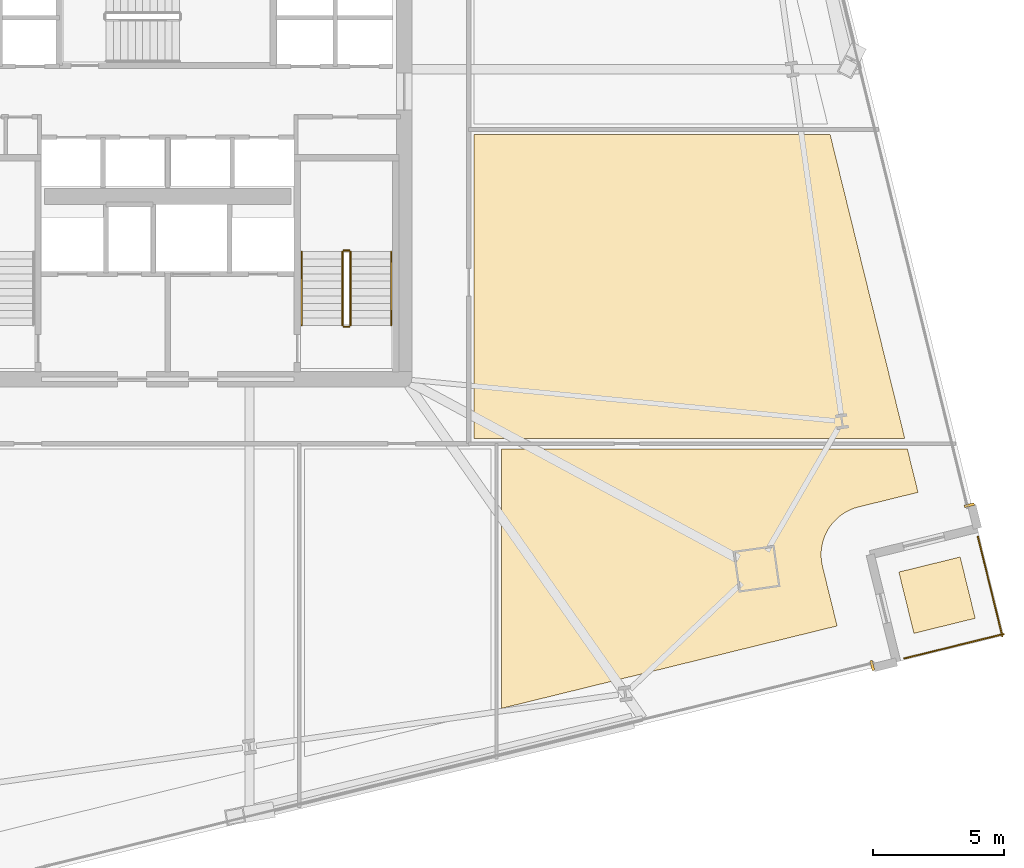
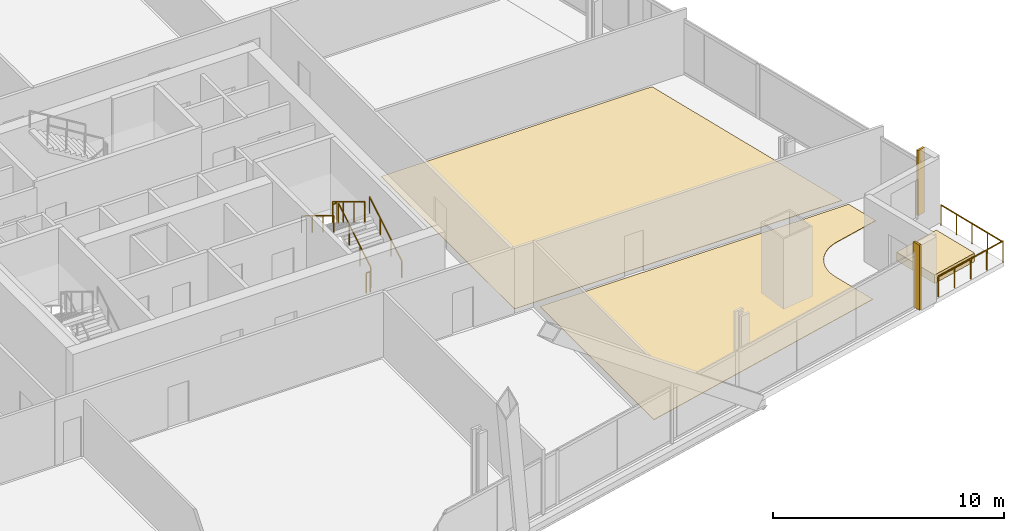
# One storey, part 30 of 32: 8 railings, 5 coverings.
"""IFC4 building model written with IfcOpenShell, lengths in metres."""

from ifc_helpers import new_model, si_unit, direction, frame, origin, origin_2d, place, context, subcontext, project, spatial, polyline, rectangle, outline, extrude, source, transform, mapped, material, layer, layer_set, type_object, element, save


model = new_model("IFC4")

# Units and contexts
model_context = context("Model", 3, precision=1e-05, world=origin(), true_north=direction((0.0, 1.0)))
body_context = subcontext(model_context, "Body", "Model", "MODEL_VIEW")
ifc_project = project(units=[si_unit("LENGTHUNIT", "METRE"), si_unit("AREAUNIT", "SQUARE_METRE"), si_unit("VOLUMEUNIT", "CUBIC_METRE"), si_unit("PLANEANGLEUNIT", "RADIAN"), si_unit("MASSUNIT", "GRAM", prefix="KILO")], contexts=[model_context])

# Site, building, storey
site_placement = place(None, origin())
site = spatial("IfcSite", under=ifc_project, at=site_placement, CompositionType="ELEMENT")
building_placement = place(site_placement, origin())
building = spatial("IfcBuilding", under=site, at=building_placement, Name="Haldenkirk Collegiate Tower", CompositionType="ELEMENT")
storey_placement = place(building_placement, frame((0.0, 0.0, 73.949951171875)))
storey = spatial("IfcBuildingStorey", under=building, at=storey_placement, Name="L17", CompositionType="ELEMENT", Elevation=73.949951171875)

# Coverings
ifc_material_1 = material(Name="Polished collegiate terrazzo", Category="concrete")
ifc_layer_1 = layer(ifc_material_1, 0.02490234375)
ifc_layer_set_1 = layer_set([ifc_layer_1], Name="Polished collegiate terrazzo")
covering_type_1 = type_object("IfcCoveringType", Name="COV-FLOOR-TERRAZZO", PredefinedType="FLOORING", material=ifc_layer_set_1)
covering_1_placement = place(storey_placement, origin())
element("IfcCovering", 1, at=covering_1_placement, inside=storey, type_object=covering_type_1, Name="L17 academic room finish 04", PredefinedType="FLOORING", context=body_context, shape_type="SweptSolid", body=[
    extrude(outline(polyline([(64.538330078125, 13.697265625), (62.275634765625, 13.141357421875), (62.27001953125, 13.139892578125), (62.10546875, 13.0908203125), (62.09423828125, 13.0869140625), (61.935302734375, 13.02197265625), (61.924560546875, 13.016845703125), (61.772705078125, 12.9365234375), (61.7626953125, 12.9306640625), (61.619384765625, 12.8359375), (61.610107421875, 12.828857421875), (61.476806640625, 12.720458984375), (61.468017578125, 12.712646484375), (61.345947265625, 12.591796875), (61.337890625, 12.5830078125), (61.228515625, 12.45068359375), (61.221435546875, 12.44140625), (61.125244140625, 12.299072265625), (61.119140625, 12.288818359375), (61.03759765625, 12.1376953125), (61.03271484375, 12.127197265625), (60.966064453125, 11.968994140625), (60.9619140625, 11.9580078125), (60.911376953125, 11.793701171875), (60.908447265625, 11.782470703125), (60.874267578125, 11.614013671875), (60.872314453125, 11.602294921875), (60.854736328125, 11.431396484375), (60.854248046875, 11.419921875), (60.853515625, 11.248046875), (60.85400390625, 11.236328125), (60.8701171875, 11.065185546875), (60.87158203125, 11.0537109375), (60.904296875, 10.885009765625), (60.90576171875, 10.87939453125), (61.46142578125, 8.61669921875), (48.699951171875, 5.482177734375), (48.699951171875, 15.35009765625), (64.132568359375, 15.35009765625), (64.538330078125, 13.697265625)])), origin(), (0.0, 0.0, 1.0), 0.025146484375),
])
ifc_material_2 = material(Name="Engineered collegiate oak acoustic flooring", Category="wood")
ifc_layer_2 = layer(ifc_material_2, 0.02197265625)
ifc_layer_set_2 = layer_set([ifc_layer_2], Name="Engineered collegiate oak acoustic flooring")
covering_type_2 = type_object("IfcCoveringType", Name="COV-FLOOR-TIMBER", PredefinedType="FLOORING", material=ifc_layer_set_2)
covering_2_placement = place(storey_placement, origin())
element("IfcCovering", 2, at=covering_2_placement, inside=storey, type_object=covering_type_2, Name="L17 academic room finish 11", PredefinedType="FLOORING", context=body_context, shape_type="SweptSolid", body=[
    extrude(outline(polyline([(64.0341796875, 15.75), (47.64990234375, 15.75), (47.64990234375, 27.300048828125), (61.197265625, 27.300048828125), (64.0341796875, 15.75)])), origin(), (0.0, 0.0, 1.0), 0.02197265625),
])
ifc_material_3 = material(Name="Precast concrete f'c 40 MPa", Category="concrete")
ifc_layer_3 = layer(ifc_material_3, 0.449951171875)
ifc_layer_set_3 = layer_set([ifc_layer_3], Name="Precast concrete f'c 40 MPa")
covering_type_3 = type_object("IfcCoveringType", Name="COV-PLANTER-450", PredefinedType="USERDEFINED", material=ifc_layer_set_3)
covering_3_placement = place(storey_placement, origin())
element("IfcCovering", 3, at=covering_3_placement, inside=storey, type_object=covering_type_3, Name="L17 planted garden planter bed", ObjectType="PLANTER", PredefinedType="USERDEFINED", context=body_context, shape_type="SweptSolid", body=[
    extrude(outline(polyline([(64.3828125, 8.33544921875), (63.810302734375, 10.666015625), (66.14111328125, 11.238525390625), (66.713623046875, 8.90771484375), (64.3828125, 8.33544921875)])), origin(), (0.0, 0.0, 1.0), 0.449951171875),
])

# Railings
ifc_material_4 = material(Name="Painted architectural tubular steel", Category="steel")
railing_type_1 = type_object("IfcRailingType", Name="RLG-STAIR-GUARD-1100", PredefinedType="BALUSTRADE", material=ifc_material_4)
railing_1_placement = place(storey_placement, frame((42.949951171875, 20.050048828125, 0.17041015625)))
element("IfcRailing", 4, at=railing_1_placement, inside=storey, type_object=railing_type_1, Name="L17 ST-2 stair guard 1", PredefinedType="BALUSTRADE", context=body_context, shape_type="SweptSolid", body=[
    extrude(rectangle(XDim=0.048095703125, YDim=0.048095703125, at=origin_2d()), frame((0.0, 0.0, 1.076171875), z_axis=(0.0, 0.854169791009, 0.51999420009), x_axis=(-1.0, 0.0, 0.0)), (0.0, 0.0, 1.0), 3.278076171875),
    extrude(rectangle(XDim=0.0419921875, YDim=0.0419921875, at=origin_2d()), origin(), (0.0, 0.0, 1.0), 1.052001953125),
    extrude(rectangle(XDim=0.0419921875, YDim=0.0419921875, at=origin_2d()), frame((0.0, 0.933349609375, 0.568115234375)), (0.0, 0.0, 1.0), 1.052001953125),
    extrude(rectangle(XDim=0.0419921875, YDim=0.0419921875, at=origin_2d()), frame((0.0, 1.86669921875, 1.136474609375)), (0.0, 0.0, 1.0), 1.052001953125),
    extrude(rectangle(XDim=0.0419921875, YDim=0.0419921875, at=origin_2d()), frame((0.0, 2.800048828125, 1.70458984375)), (0.0, 0.0, 1.0), 1.052001953125),
])
railing_2_placement = place(storey_placement, frame((42.89990234375, 22.89990234375, 1.875)))
element("IfcRailing", 5, at=railing_2_placement, inside=storey, type_object=railing_type_1, Name="L17 ST-2 stair guard 2", PredefinedType="BALUSTRADE", context=body_context, shape_type="SweptSolid", body=[
    extrude(rectangle(XDim=0.048095703125, YDim=0.048095703125, at=origin_2d()), frame((0.0, 0.0, 1.076171875), z_axis=(-1.0, 0.0, 0.0), x_axis=(0.0, -1.0, 0.0)), (0.0, 0.0, 1.0), 0.199951171875),
    extrude(rectangle(XDim=0.0419921875, YDim=0.0419921875, at=origin_2d()), origin(), (0.0, 0.0, 1.0), 1.052001953125),
    extrude(rectangle(XDim=0.0419921875, YDim=0.0419921875, at=origin_2d()), frame((-0.199951171875, 0.0, 0.0)), (0.0, 0.0, 1.0), 1.052001953125),
])
railing_3_placement = place(storey_placement, frame((42.64990234375, 22.85009765625, 2.04541015625)))
element("IfcRailing", 6, at=railing_3_placement, inside=storey, type_object=railing_type_1, Name="L17 ST-2 stair guard 3", PredefinedType="BALUSTRADE", context=body_context, shape_type="SweptSolid", body=[
    extrude(rectangle(XDim=0.048095703125, YDim=0.048095703125, at=origin_2d()), frame((0.0, 0.0, 1.076171875), z_axis=(0.0, -0.854169791009, 0.51999420009), x_axis=(1.0, 0.0, 0.0)), (0.0, 0.0, 1.0), 3.278076171875),
    extrude(rectangle(XDim=0.0419921875, YDim=0.0419921875, at=origin_2d()), origin(), (0.0, 0.0, 1.0), 1.052001953125),
    extrude(rectangle(XDim=0.0419921875, YDim=0.0419921875, at=origin_2d()), frame((0.0, -0.933349609375, 0.568115234375)), (0.0, 0.0, 1.0), 1.052001953125),
    extrude(rectangle(XDim=0.0419921875, YDim=0.0419921875, at=origin_2d()), frame((0.0, -1.86669921875, 1.136474609375)), (0.0, 0.0, 1.0), 1.052001953125),
    extrude(rectangle(XDim=0.0419921875, YDim=0.0419921875, at=origin_2d()), frame((0.0, -2.800048828125, 1.70458984375)), (0.0, 0.0, 1.0), 1.052001953125),
])
railing_4_placement = place(storey_placement, frame((42.89990234375, 20.0, 0.0)))
element("IfcRailing", 7, at=railing_4_placement, inside=storey, type_object=railing_type_1, Name="L17 ST-2 stair guard 4", PredefinedType="BALUSTRADE", context=body_context, shape_type="SweptSolid", body=[
    extrude(rectangle(XDim=0.048095703125, YDim=0.048095703125, at=origin_2d()), frame((0.0, 0.0, 1.076171875), z_axis=(-1.0, 0.0, 0.0), x_axis=(0.0, -1.0, 0.0)), (0.0, 0.0, 1.0), 0.199951171875),
    extrude(rectangle(XDim=0.0419921875, YDim=0.0419921875, at=origin_2d()), origin(), (0.0, 0.0, 1.0), 1.052001953125),
    extrude(rectangle(XDim=0.0419921875, YDim=0.0419921875, at=origin_2d()), frame((-0.199951171875, 0.0, 0.0)), (0.0, 0.0, 1.0), 1.052001953125),
])
railing_type_2 = type_object("IfcRailingType", Name="RLG-STAIR-HANDRAIL-900", PredefinedType="HANDRAIL", material=ifc_material_4)
railing_5_placement = place(storey_placement, frame((44.5, 20.050048828125, 0.17041015625)))
element("IfcRailing", 8, at=railing_5_placement, inside=storey, type_object=railing_type_2, Name="L17 ST-2 stair handrail 1", PredefinedType="HANDRAIL", context=body_context, shape_type="SweptSolid", body=[
    extrude(rectangle(XDim=0.048095703125, YDim=0.048095703125, at=origin_2d()), frame((0.0, 0.0, 0.8759765625), z_axis=(0.0, 0.854169791009, 0.51999420009), x_axis=(-1.0, 0.0, 0.0)), (0.0, 0.0, 1.0), 3.278076171875),
    extrude(rectangle(XDim=0.0419921875, YDim=0.0419921875, at=origin_2d()), origin(), (0.0, 0.0, 1.0), 0.851806640625),
    extrude(rectangle(XDim=0.0419921875, YDim=0.0419921875, at=origin_2d()), frame((0.0, 0.933349609375, 0.568115234375)), (0.0, 0.0, 1.0), 0.851806640625),
    extrude(rectangle(XDim=0.0419921875, YDim=0.0419921875, at=origin_2d()), frame((0.0, 1.86669921875, 1.136474609375)), (0.0, 0.0, 1.0), 0.851806640625),
    extrude(rectangle(XDim=0.0419921875, YDim=0.0419921875, at=origin_2d()), frame((0.0, 2.800048828125, 1.70458984375)), (0.0, 0.0, 1.0), 0.851806640625),
])
railing_6_placement = place(storey_placement, frame((41.10009765625, 22.85009765625, 2.04541015625)))
element("IfcRailing", 9, at=railing_6_placement, inside=storey, type_object=railing_type_2, Name="L17 ST-2 stair handrail 2", PredefinedType="HANDRAIL", context=body_context, shape_type="SweptSolid", body=[
    extrude(rectangle(XDim=0.048095703125, YDim=0.048095703125, at=origin_2d()), frame((0.0, 0.0, 0.8759765625), z_axis=(0.0, -0.854169791009, 0.51999420009), x_axis=(1.0, 0.0, 0.0)), (0.0, 0.0, 1.0), 3.278076171875),
    extrude(rectangle(XDim=0.0419921875, YDim=0.0419921875, at=origin_2d()), origin(), (0.0, 0.0, 1.0), 0.851806640625),
    extrude(rectangle(XDim=0.0419921875, YDim=0.0419921875, at=origin_2d()), frame((0.0, -0.933349609375, 0.568115234375)), (0.0, 0.0, 1.0), 0.851806640625),
    extrude(rectangle(XDim=0.0419921875, YDim=0.0419921875, at=origin_2d()), frame((0.0, -1.86669921875, 1.136474609375)), (0.0, 0.0, 1.0), 0.851806640625),
    extrude(rectangle(XDim=0.0419921875, YDim=0.0419921875, at=origin_2d()), frame((0.0, -2.800048828125, 1.70458984375)), (0.0, 0.0, 1.0), 0.851806640625),
])
ifc_material_5 = material(Name="Anodised architectural bronze aluminium", Category="aluminium")
railing_type_3 = type_object("IfcRailingType", Name="RLG-TERR-BALUSTRADE-1100", PredefinedType="BALUSTRADE", material=ifc_material_5)
railing_7_placement = place(storey_placement, frame((64.02001953125, 7.38134765625, 0.0)))
element("IfcRailing", 10, at=railing_7_placement, inside=storey, type_object=railing_type_3, Name="L17 terrace guard balustrade 1-1", PredefinedType="BALUSTRADE", context=body_context, shape_type="SweptSolid", body=[
    extrude(rectangle(XDim=0.048095703125, YDim=0.048095703125, at=origin_2d()), frame((0.0, 0.0, 1.076171875), z_axis=(0.971133609444, 0.23853618721, 0.0), x_axis=(-0.23853618721, 0.971133609444, 0.0)), (0.0, 0.0, 1.0), 3.880126953125),
    extrude(rectangle(XDim=0.0419921875, YDim=0.0419921875, at=origin_2d()), origin(), (0.0, 0.0, 1.0), 1.052001953125),
    extrude(rectangle(XDim=0.0419921875, YDim=0.0419921875, at=origin_2d()), frame((0.94189453125, 0.2314453125, 0.0)), (0.0, 0.0, 1.0), 1.052001953125),
    extrude(rectangle(XDim=0.0419921875, YDim=0.0419921875, at=origin_2d()), frame((1.884033203125, 0.462890625, 0.0)), (0.0, 0.0, 1.0), 1.052001953125),
    extrude(rectangle(XDim=0.0419921875, YDim=0.0419921875, at=origin_2d()), frame((2.826171875, 0.694091796875, 0.0)), (0.0, 0.0, 1.0), 1.052001953125),
    extrude(rectangle(XDim=0.0419921875, YDim=0.0419921875, at=origin_2d()), frame((3.76806640625, 0.925537109375, 0.0)), (0.0, 0.0, 1.0), 1.052001953125),
])
railing_8_placement = place(storey_placement, frame((67.743896484375, 8.234130859375, 0.0)))
element("IfcRailing", 11, at=railing_8_placement, inside=storey, type_object=railing_type_3, Name="L17 terrace guard balustrade 2-1", PredefinedType="BALUSTRADE", context=body_context, shape_type="SweptSolid", body=[
    extrude(rectangle(XDim=0.048095703125, YDim=0.048095703125, at=origin_2d()), frame((0.0, 0.0, 1.076171875), z_axis=(-0.238476844383, 0.971148183695, 0.0), x_axis=(-0.971148183695, -0.238476844383, 0.0)), (0.0, 0.0, 1.0), 3.880126953125),
    extrude(rectangle(XDim=0.0419921875, YDim=0.0419921875, at=origin_2d()), origin(), (0.0, 0.0, 1.0), 1.052001953125),
    extrude(rectangle(XDim=0.0419921875, YDim=0.0419921875, at=origin_2d()), frame((-0.2314453125, 0.94189453125, 0.0)), (0.0, 0.0, 1.0), 1.052001953125),
    extrude(rectangle(XDim=0.0419921875, YDim=0.0419921875, at=origin_2d()), frame((-0.462646484375, 1.884033203125, 0.0)), (0.0, 0.0, 1.0), 1.052001953125),
    extrude(rectangle(XDim=0.0419921875, YDim=0.0419921875, at=origin_2d()), frame((-0.69384765625, 2.826171875, 0.0)), (0.0, 0.0, 1.0), 1.052001953125),
    extrude(rectangle(XDim=0.0419921875, YDim=0.0419921875, at=origin_2d()), frame((-0.92529296875, 3.76806640625, 0.0)), (0.0, 0.0, 1.0), 1.052001953125),
])

# Coverings
ifc_layer_4 = layer(ifc_material_5, 0.06005859375)
ifc_layer_set_4 = layer_set([ifc_layer_4], Name="Anodised architectural bronze aluminium")
covering_type_4 = type_object("IfcCoveringType", Name="COV-CLAD-BRONZE-60", PredefinedType="CLADDING", material=ifc_layer_set_4)
shared_shape = source(origin(), body_context, "Body", "SweptSolid", [
    extrude(rectangle(XDim=0.10009765625, YDim=0.3798828125, at=origin_2d()), origin(), (0.0, 0.0, 1.0), 3.43994140625),
])
for number, where, z_axis, x_axis, name in (
    (12, (62.799072265625, 7.1123046875, 0.0), (0.0, 0.0, 1.0), (-0.97113427991, -0.238533457579, 0.0), "L17 recessed curtain-wall bronze jamb closure SJL"),
    (13, (66.4912109375, 13.208984375, 0.0), (0.0, 0.0, 1.0), (0.238533457579, -0.97113427991, 0.0), "L17 recessed curtain-wall bronze jamb closure EJR"),
):
    element("IfcCovering", number, at=place(storey_placement, frame(where, z_axis=z_axis, x_axis=x_axis)), inside=storey, type_object=covering_type_4, Name=name, PredefinedType="CLADDING", context=body_context, shape_type="MappedRepresentation", body=[
        mapped(shared_shape, transform((0.0, 0.0, 0.0), x_axis=(1.0, 0.0, 0.0), y_axis=(0.0, 1.0, 0.0), z_axis=(0.0, 0.0, 1.0), scale=1.0)),
    ])

save(model, "model.ifc")
